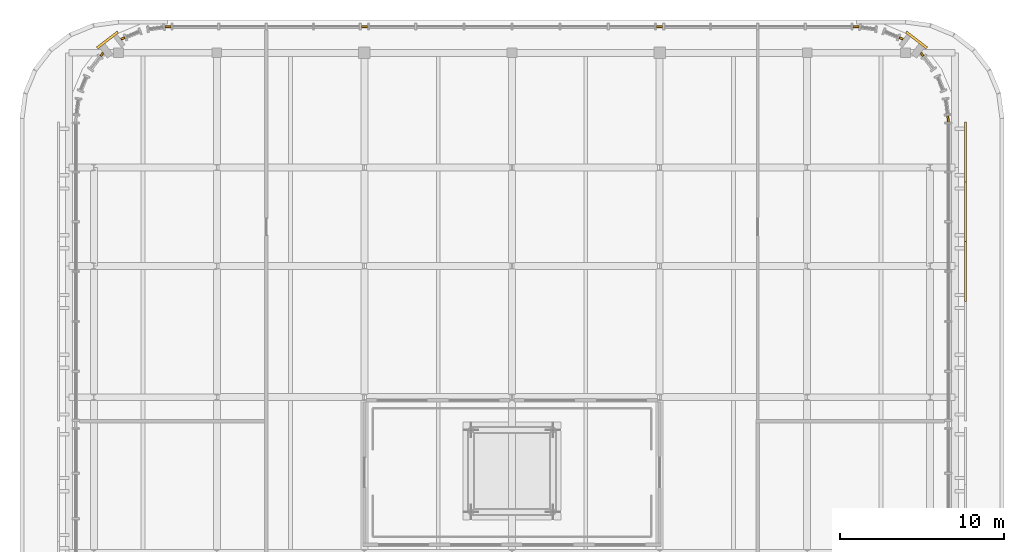
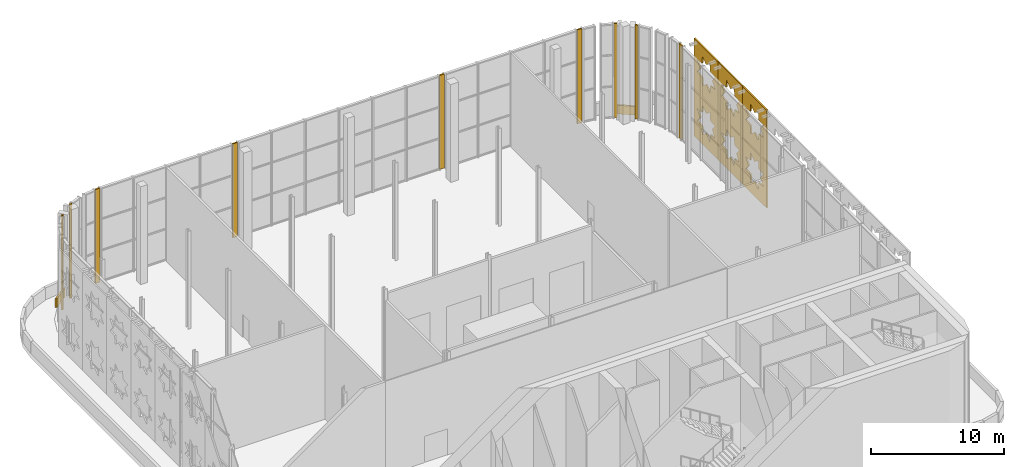
# One storey, part 25 of 26: 14 coverings.
"""IFC4 building model written with IfcOpenShell, lengths in metres."""

from ifc_helpers import new_model, si_unit, direction, frame, origin, origin_2d, place, context, subcontext, project, spatial, polyline, rectangle, outline, extrude, material, layer, layer_set, type_object, element, save


model = new_model("IFC4")

# Units and contexts
model_context = context("Model", 3, precision=1e-05, world=origin(), true_north=direction((0.0, 1.0)))
body_context = subcontext(model_context, "Body", "Model", "MODEL_VIEW")
ifc_project = project(units=[si_unit("LENGTHUNIT", "METRE"), si_unit("AREAUNIT", "SQUARE_METRE"), si_unit("VOLUMEUNIT", "CUBIC_METRE"), si_unit("PLANEANGLEUNIT", "RADIAN"), si_unit("MASSUNIT", "GRAM", prefix="KILO")], contexts=[model_context])

# Site, building, storey
site_placement = place(None, origin())
site = spatial("IfcSite", under=ifc_project, at=site_placement, CompositionType="ELEMENT")
building_placement = place(site_placement, origin())
building = spatial("IfcBuilding", under=site, at=building_placement, Name="Zellij Exchange Tower", CompositionType="ELEMENT")
storey_placement = place(building_placement, frame((0.0, 0.0, 296.5)))
storey = spatial("IfcBuildingStorey", under=building, at=storey_placement, Name="L70", CompositionType="ELEMENT", Elevation=296.5)

# Coverings
ifc_material_1 = material(Name="Limestone cladding", Category="masonry")
ifc_layer_1 = layer(ifc_material_1, 0.14990234375)
ifc_layer_set_1 = layer_set([ifc_layer_1], Name="Limestone cladding")
covering_type_1 = type_object("IfcCoveringType", Name="ENV-CV1 Stone spandrel band 150", PredefinedType="CLADDING", material=ifc_layer_set_1)
covering_1_placement = place(storey_placement, origin())
element("IfcCovering", 1, at=covering_1_placement, inside=storey, type_object=covering_type_1, Name="Stone spandrel band", PredefinedType="CLADDING", context=body_context, shape_type="SweptSolid", body=[
    extrude(outline(polyline([(25.24267578125, 35.24267578125), (24.0, 36.1962890625), (24.07568359375, 36.3271484375), (25.349609375, 35.349609375), (25.24267578125, 35.24267578125)])), origin(), (0.0, 0.0, 1.0), 0.800048828125),
])
covering_2_placement = place(storey_placement, origin())
element("IfcCovering", 2, at=covering_2_placement, inside=storey, type_object=covering_type_1, Name="Stone spandrel band", PredefinedType="CLADDING", context=body_context, shape_type="SweptSolid", body=[
    extrude(outline(polyline([(-24.0, 36.1962890625), (-25.24267578125, 35.24267578125), (-25.349609375, 35.349609375), (-24.07568359375, 36.3271484375), (-24.0, 36.1962890625)])), origin(), (0.0, 0.0, 1.0), 0.800048828125),
])
ifc_layer_2 = layer(ifc_material_1, 0.1201171875)
ifc_layer_set_2 = layer_set([ifc_layer_2], Name="Limestone cladding")
covering_type_2 = type_object("IfcCoveringType", Name="ENV-CV18 Glazing closer 120", PredefinedType="CLADDING", material=ifc_layer_set_2)
for number, where, z_axis, x_axis, name in (
    (3, (9.0, 36.60009765625, 0.0), (0.0, 0.0, 1.0), (-1.0, 0.0, 0.0), "Glazing closer"),
    (4, (-9.0, 36.60009765625, 0.0), (0.0, 0.0, 1.0), (-1.0, 0.0, 0.0), "Glazing closer"),
):
    element("IfcCovering", number, at=place(storey_placement, frame(where, z_axis=z_axis, x_axis=x_axis)), inside=storey, type_object=covering_type_2, Name=name, PredefinedType="CLADDING", context=body_context, shape_type="SweptSolid", body=[
        extrude(rectangle(XDim=0.39990234375, YDim=0.1201171875, at=origin_2d()), origin(), (0.0, 0.0, 1.0), 8.64990234375),
    ])
for number, where, z_axis, x_axis, name in (
    (5, (26.5869140625, 30.972900390625, 0.0), (0.0, 0.0, 1.0), (-0.065383971702, 0.997860178705, 0.0), "Glazing closer"),
    (6, (-20.972900390625, 36.5869140625, 0.0), (0.0, 0.0, 1.0), (-0.997859836341, -0.065389196485, 0.0), "Glazing closer"),
    (7, (20.972900390625, 36.5869140625, 0.0), (0.0, 0.0, 1.0), (-0.997859836341, 0.065389196485, 0.0), "Glazing closer"),
):
    element("IfcCovering", number, at=place(storey_placement, frame(where, z_axis=z_axis, x_axis=x_axis)), inside=storey, type_object=covering_type_2, Name=name, PredefinedType="CLADDING", context=body_context, shape_type="SweptSolid", body=[
        extrude(rectangle(XDim=0.399169921875, YDim=0.1201171875, at=origin_2d()), origin(), (0.0, 0.0, 1.0), 8.64990234375),
    ])
for number, where, z_axis, x_axis, name in (
    (8, (23.7236328125, 35.877685546875, 0.0), (0.0, 0.0, 1.0), (0.923881536224, -0.382678594938, 0.0), "Glazing closer"),
    (9, (-23.7236328125, 35.877685546875, 0.0), (0.0, 0.0, 1.0), (-0.923881536224, -0.382678594938, 0.0), "Glazing closer"),
):
    element("IfcCovering", number, at=place(storey_placement, frame(where, z_axis=z_axis, x_axis=x_axis)), inside=storey, type_object=covering_type_2, Name=name, PredefinedType="CLADDING", context=body_context, shape_type="SweptSolid", body=[
        extrude(rectangle(XDim=0.238525390625, YDim=0.1201171875, at=origin_2d()), origin(), (0.0, 0.0, 1.0), 8.64990234375),
    ])
for number, where, z_axis, x_axis, name in (
    (10, (25.006591796875, 34.893310546875, 0.0), (0.0, 0.0, 1.0), (-0.608809891071, 0.793316151692, 0.0), "Glazing closer"),
    (11, (-25.006591796875, 34.893310546875, 0.0), (0.0, 0.0, 1.0), (0.608809891071, 0.793316151692, 0.0), "Glazing closer"),
):
    element("IfcCovering", number, at=place(storey_placement, frame(where, z_axis=z_axis, x_axis=x_axis)), inside=storey, type_object=covering_type_2, Name=name, PredefinedType="CLADDING", context=body_context, shape_type="SweptSolid", body=[
        extrude(rectangle(XDim=0.23828125, YDim=0.1201171875, at=origin_2d()), origin(), (0.0, 0.0, 1.0), 8.64990234375),
    ])
ifc_material_2 = material(Name="Limestone screen", Category="masonry")
ifc_layer_3 = layer(ifc_material_2, 0.1201171875)
ifc_layer_set_3 = layer_set([ifc_layer_3], Name="Limestone screen")
covering_type_3 = type_object("IfcCoveringType", Name="ENV-SC1 Pierced stone screen 120", PredefinedType="USERDEFINED", material=ifc_layer_set_3)
for number, where, z_axis, x_axis, name in (
    (12, (27.659912109375, 19.834716796875, 0.0), (0.0, 0.0, 1.0), (0.0, 1.0, 0.0), "Pierced stone screen"),
    (13, (27.659912109375, 23.481201171875, 0.0), (0.0, 0.0, 1.0), (0.0, 1.0, 0.0), "Pierced stone screen"),
    (14, (27.659912109375, 27.12744140625, 0.0), (0.0, 0.0, 1.0), (0.0, 1.0, 0.0), "Pierced stone screen"),
):
    element("IfcCovering", number, at=place(storey_placement, frame(where, z_axis=z_axis, x_axis=x_axis)), inside=storey, type_object=covering_type_3, Name=name, ObjectType="SCREEN", PredefinedType="USERDEFINED", context=body_context, shape_type="SweptSolid", body=[
        extrude(outline(polyline([(0.0, 0.0), (3.646240234375, 0.0), (3.646240234375, 9.0), (0.0, 9.0), (0.0, 0.0)]), holes=[polyline([(3.170654296875, 2.80810546875), (2.462646484375, 2.889404296875), (2.38134765625, 3.597412109375), (1.8232421875, 3.154296875), (1.264892578125, 3.597412109375), (1.18359375, 2.889404296875), (0.4755859375, 2.80810546875), (0.9189453125, 2.25), (0.4755859375, 1.69189453125), (1.18359375, 1.610595703125), (1.264892578125, 0.902587890625), (1.8232421875, 1.345703125), (2.38134765625, 0.902587890625), (2.462646484375, 1.610595703125), (3.170654296875, 1.69189453125), (2.727294921875, 2.25), (3.170654296875, 2.80810546875)]), polyline([(3.170654296875, 7.30810546875), (2.462646484375, 7.389404296875), (2.38134765625, 8.097412109375), (1.8232421875, 7.654296875), (1.264892578125, 8.097412109375), (1.18359375, 7.389404296875), (0.4755859375, 7.30810546875), (0.9189453125, 6.75), (0.4755859375, 6.19189453125), (1.18359375, 6.110595703125), (1.264892578125, 5.402587890625), (1.8232421875, 5.845703125), (2.38134765625, 5.402587890625), (2.462646484375, 6.110595703125), (3.170654296875, 6.19189453125), (2.727294921875, 6.75), (3.170654296875, 7.30810546875)])]), frame((0.0, 0.06005859375, 0.0), z_axis=(0.0, -1.0, 0.0), x_axis=(1.0, 0.0, 0.0)), (0.0, 0.0, 1.0), 0.1201171875),
    ])

save(model, "model.ifc")
